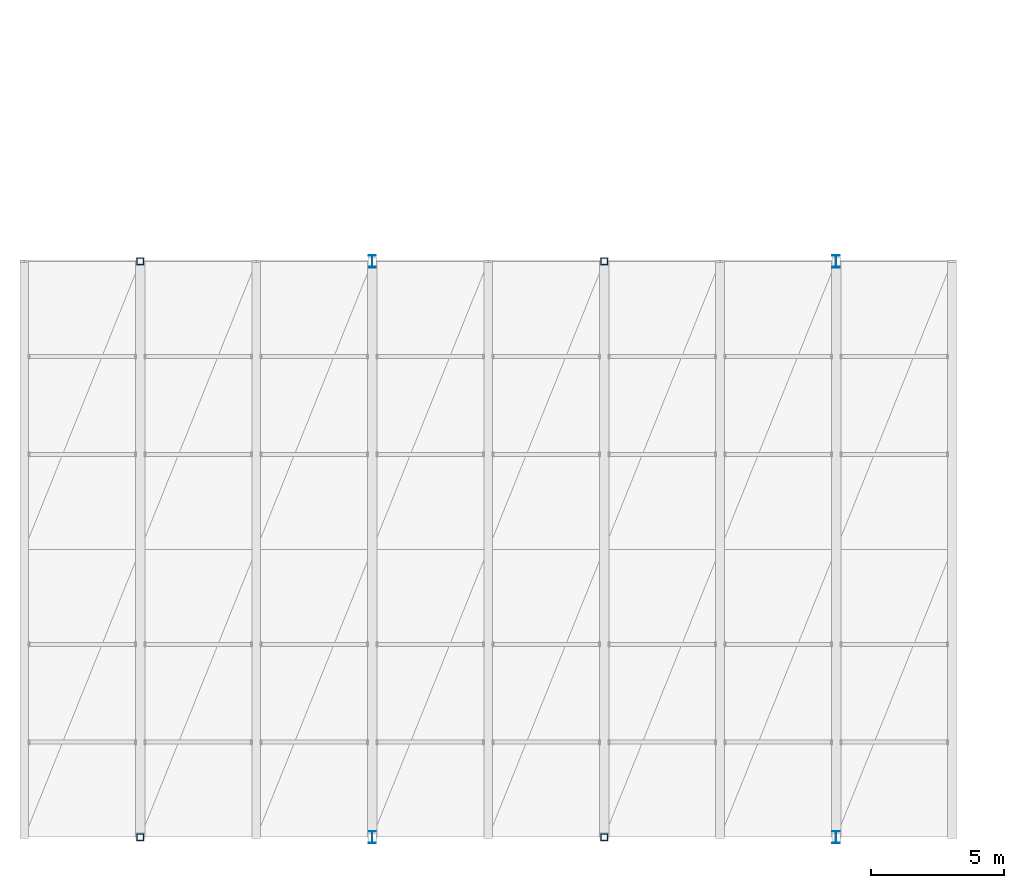
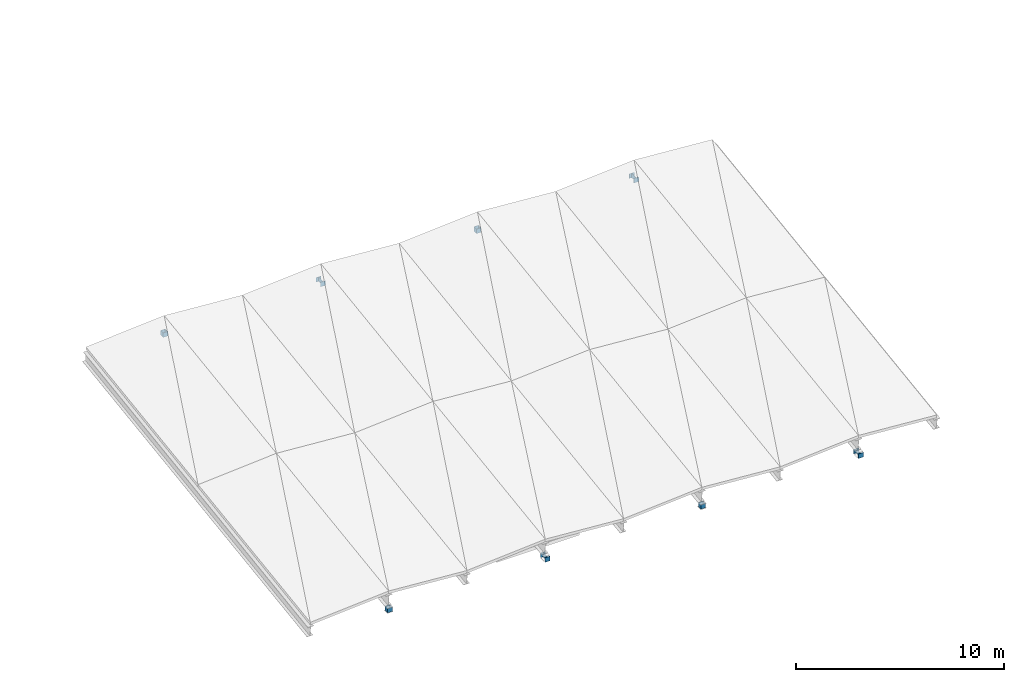
# One storey, part 8 of 52: 8 members.
"""IFC4 building model written with IfcOpenShell, lengths in metres."""

from ifc_helpers import new_model, si_unit, direction, frame, origin, origin_2d, place, context, subcontext, project, spatial, hollow_rectangle, i_section, extrude, material, material_profile, profile_set, type_object, element, save


model = new_model("IFC4")

# Units and contexts
model_context = context("Model", 3, precision=1e-05, world=origin(), true_north=direction((0.0, 1.0)))
body_context = subcontext(model_context, "Body", "Model", "MODEL_VIEW")
ifc_project = project(units=[si_unit("LENGTHUNIT", "METRE"), si_unit("AREAUNIT", "SQUARE_METRE"), si_unit("VOLUMEUNIT", "CUBIC_METRE"), si_unit("PLANEANGLEUNIT", "RADIAN"), si_unit("MASSUNIT", "GRAM", prefix="KILO")], contexts=[model_context])

# Site, building, storey
site_placement = place(None, origin())
site = spatial("IfcSite", under=ifc_project, at=site_placement, CompositionType="ELEMENT")
building_placement = place(site_placement, origin())
building = spatial("IfcBuilding", under=site, at=building_placement, Name="Vaelkrest Opera House", CompositionType="ELEMENT")
storey_placement = place(building_placement, frame((0.0, 0.0, 41.39990234375)))
storey = spatial("IfcBuildingStorey", under=building, at=storey_placement, Name="ROOF", CompositionType="ELEMENT", Elevation=41.39990234375)

# Members
ifc_material_1 = material(Name="Steel A992 Gr50", Category="steel")
ifc_material_profile_1 = material_profile(ifc_material_1, i_section(OverallWidth=0.280029296875, OverallDepth=0.462890625, WebThickness=0.0107421875, FlangeThickness=0.017333984375, at=origin_2d()), Name="W18X76")
ifc_profile_set_1 = profile_set([ifc_material_profile_1], Name="Steel A992 Gr50")
member_type_1 = type_object("IfcMemberType", Name="TC01", PredefinedType="CHORD", material=ifc_profile_set_1)
member_1_placement = place(storey_placement, frame((-73.35009765625, -59.39990234375, -31.849853515625), z_axis=(0.0, 0.0, 1.0), x_axis=(1.0, 0.0, 0.0)))
element("IfcMember", 1, at=member_1_placement, inside=storey, type_object=member_type_1, Name="Ridge saddle post V5-S-03", PredefinedType="CHORD", context=body_context, shape_type="SweptSolid", body=[
    extrude(i_section(OverallWidth=0.280029296875, OverallDepth=0.462890625, WebThickness=0.0107421875, FlangeThickness=0.017333984375, at=origin_2d()), origin(), (0.0, 0.0, 1.0), 0.262939453125),
])
member_2_placement = place(storey_placement, frame((-73.35009765625, -37.800048828125, -28.77001953125), z_axis=(0.0, 0.0, 1.0), x_axis=(1.0, 0.0, 0.0)))
element("IfcMember", 2, at=member_2_placement, inside=storey, type_object=member_type_1, Name="Ridge saddle post V5-N-03", PredefinedType="CHORD", context=body_context, shape_type="SweptSolid", body=[
    extrude(i_section(OverallWidth=0.280029296875, OverallDepth=0.462890625, WebThickness=0.0107421875, FlangeThickness=0.017333984375, at=origin_2d()), origin(), (0.0, 0.0, 1.0), 0.26318359375),
])
member_3_placement = place(storey_placement, frame((-55.949951171875, -59.39990234375, -31.849853515625), z_axis=(0.0, 0.0, 1.0), x_axis=(1.0, 0.0, 0.0)))
element("IfcMember", 3, at=member_3_placement, inside=storey, type_object=member_type_1, Name="Ridge saddle post V5-S-07", PredefinedType="CHORD", context=body_context, shape_type="SweptSolid", body=[
    extrude(i_section(OverallWidth=0.280029296875, OverallDepth=0.462890625, WebThickness=0.0107421875, FlangeThickness=0.017333984375, at=origin_2d()), origin(), (0.0, 0.0, 1.0), 0.262939453125),
])
member_4_placement = place(storey_placement, frame((-55.949951171875, -37.800048828125, -28.77001953125), z_axis=(0.0, 0.0, 1.0), x_axis=(1.0, 0.0, 0.0)))
element("IfcMember", 4, at=member_4_placement, inside=storey, type_object=member_type_1, Name="Ridge saddle post V5-N-07", PredefinedType="CHORD", context=body_context, shape_type="SweptSolid", body=[
    extrude(i_section(OverallWidth=0.280029296875, OverallDepth=0.462890625, WebThickness=0.0107421875, FlangeThickness=0.017333984375, at=origin_2d()), origin(), (0.0, 0.0, 1.0), 0.26318359375),
])
ifc_material_2 = material(Name="Steel A500 GrC", Category="steel")
ifc_material_profile_2 = material_profile(ifc_material_2, hollow_rectangle(XDim=0.25390625, YDim=0.25390625, WallThickness=0.0126953125, at=origin_2d()), Name="HSS254X254X12.7")
ifc_profile_set_2 = profile_set([ifc_material_profile_2], Name="Steel A500 GrC")
member_type_2 = type_object("IfcMemberType", Name="TC04", PredefinedType="CHORD", material=ifc_profile_set_2)
member_5_placement = place(storey_placement, frame((-82.050048828125, -59.39990234375, -31.849853515625), z_axis=(0.0, 0.0, 1.0), x_axis=(1.0, 0.0, 0.0)))
element("IfcMember", 5, at=member_5_placement, inside=storey, type_object=member_type_2, Name="Ridge saddle post V5-S-01", PredefinedType="CHORD", context=body_context, shape_type="SweptSolid", body=[
    extrude(hollow_rectangle(XDim=0.25390625, YDim=0.25390625, WallThickness=0.0126953125, at=origin_2d()), origin(), (0.0, 0.0, 1.0), 0.262939453125),
])
member_6_placement = place(storey_placement, frame((-82.050048828125, -37.800048828125, -28.77001953125), z_axis=(0.0, 0.0, 1.0), x_axis=(1.0, 0.0, 0.0)))
element("IfcMember", 6, at=member_6_placement, inside=storey, type_object=member_type_2, Name="Ridge saddle post V5-N-01", PredefinedType="CHORD", context=body_context, shape_type="SweptSolid", body=[
    extrude(hollow_rectangle(XDim=0.25390625, YDim=0.25390625, WallThickness=0.0126953125, at=origin_2d()), origin(), (0.0, 0.0, 1.0), 0.26318359375),
])
member_7_placement = place(storey_placement, frame((-64.64990234375, -59.39990234375, -31.849853515625), z_axis=(0.0, 0.0, 1.0), x_axis=(1.0, 0.0, 0.0)))
element("IfcMember", 7, at=member_7_placement, inside=storey, type_object=member_type_2, Name="Ridge saddle post V5-S-05", PredefinedType="CHORD", context=body_context, shape_type="SweptSolid", body=[
    extrude(hollow_rectangle(XDim=0.25390625, YDim=0.25390625, WallThickness=0.0126953125, at=origin_2d()), origin(), (0.0, 0.0, 1.0), 0.262939453125),
])
member_8_placement = place(storey_placement, frame((-64.64990234375, -37.800048828125, -28.77001953125), z_axis=(0.0, 0.0, 1.0), x_axis=(1.0, 0.0, 0.0)))
element("IfcMember", 8, at=member_8_placement, inside=storey, type_object=member_type_2, Name="Ridge saddle post V5-N-05", PredefinedType="CHORD", context=body_context, shape_type="SweptSolid", body=[
    extrude(hollow_rectangle(XDim=0.25390625, YDim=0.25390625, WallThickness=0.0126953125, at=origin_2d()), origin(), (0.0, 0.0, 1.0), 0.26318359375),
])

save(model, "model.ifc")
